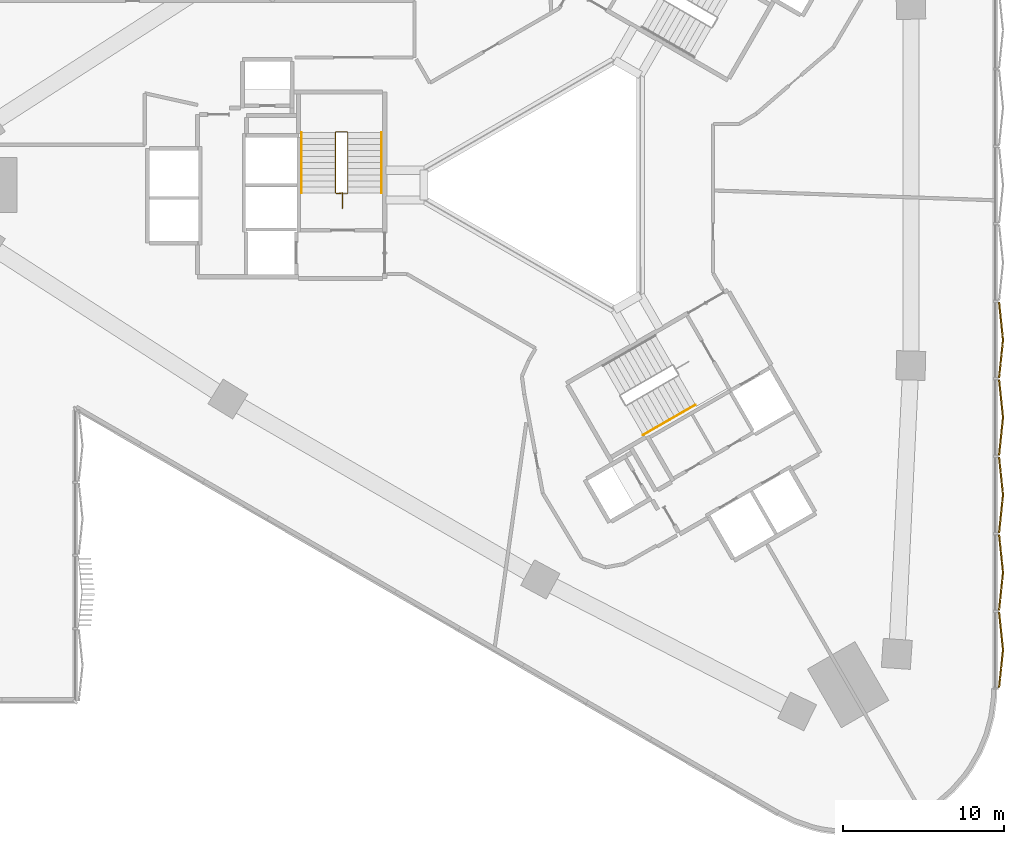
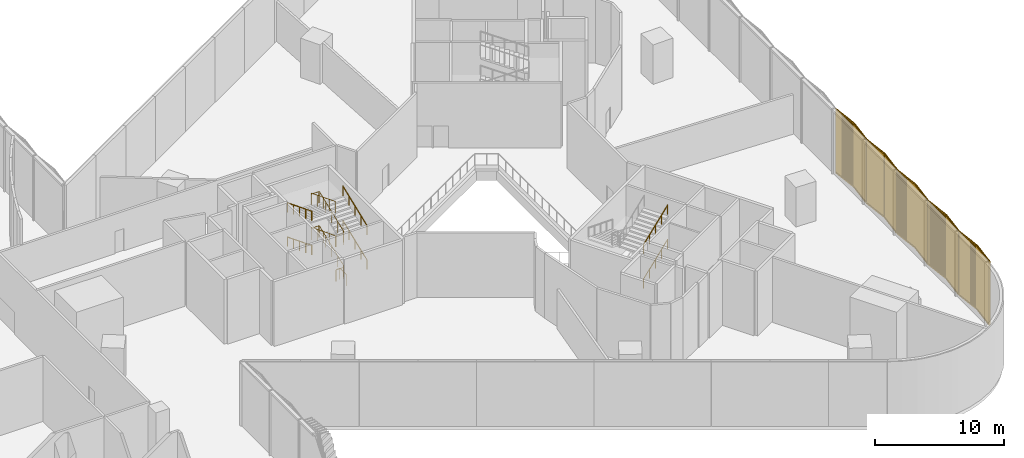
# One storey, part 27 of 32: 7 railings, 5 coverings.
"""IFC4 building model written with IfcOpenShell, lengths in metres."""

import ifcopenshell
import ifcopenshell.guid

model = None  # the IFC model being written
_history = None  # IfcOwnerHistory: only IFC2X3 demands one
_inside = {}  # id of a spatial element -> (the spatial element, [elements in it])
_under = {}  # id of a project, library or spatial element -> (it, [spatial elements below it])
_declared = {}  # id of a project -> (the project, [libraries it declares])
_typed = {}  # id of a type object -> (the type object, [elements of that type])
_made_of = {}  # id of a material, layer set ... -> (it, [elements and type objects made of it])


def new_model(schema):
    """Start an empty IFC model of exactly this schema.

    Asked for "IFC4X3", IfcOpenShell would pick the latest addendum, in which some entities
    have other attributes; the version numbers below select the first issue.
    IFC2X3 requires an IfcOwnerHistory on every rooted entity: one is made here for all.
    """
    global model, _history
    if schema == "IFC4X3":
        model = ifcopenshell.file(schema_version=(4, 3, 0, 0))
    else:
        model = ifcopenshell.file(schema=schema)
    _inside.clear()
    _under.clear()
    _declared.clear()
    _typed.clear()
    _made_of.clear()
    _history = None
    if model.schema == "IFC2X3":
        org = make("IfcOrganization", Name="unknown")
        user = make(
            "IfcPersonAndOrganization",
            ThePerson=make("IfcPerson", FamilyName="unknown"),
            TheOrganization=org,
        )
        app = make(
            "IfcApplication",
            ApplicationDeveloper=org,
            Version="unknown",
            ApplicationFullName="unknown",
            ApplicationIdentifier="unknown",
        )
        _history = make(
            "IfcOwnerHistory",
            OwningUser=user,
            OwningApplication=app,
            ChangeAction="ADDED",
            CreationDate=0,
        )
    return model


def make(cls, **values):
    """One entity of the class cls with the attributes given. An attribute that is None is left unset."""
    return model.create_entity(
        cls, **{name: value for name, value in values.items() if value is not None}
    )


def rooted(cls, **values):
    """An entity with a GlobalId (a new one), such as an element, a storey or a relation."""
    return make(cls, GlobalId=ifcopenshell.guid.new(), OwnerHistory=_history, **values)


def si_unit(unit_type, name, prefix=None):
    """IfcSIUnit, for example si_unit("LENGTHUNIT", "METRE", prefix="MILLI")."""
    return make("IfcSIUnit", UnitType=unit_type, Prefix=prefix, Name=name)


def assignment(units):
    """IfcUnitAssignment: the units of a project."""
    return None if units is None else make("IfcUnitAssignment", Units=units)


def point(xyz):
    """IfcCartesianPoint."""
    return None if xyz is None else make("IfcCartesianPoint", Coordinates=xyz)


def direction(xyz):
    """IfcDirection."""
    return None if xyz is None else make("IfcDirection", DirectionRatios=xyz)


def frame(location, z_axis=None, x_axis=None):
    """IfcAxis2Placement3D, a coordinate frame: its origin and axes. An axis left out is left unset."""
    return make(
        "IfcAxis2Placement3D",
        Location=point(location),
        Axis=direction(z_axis),
        RefDirection=direction(x_axis),
    )


def frame_2d(location, x_axis=None):
    """IfcAxis2Placement2D, a coordinate frame in the plane: its origin and x axis."""
    return make(
        "IfcAxis2Placement2D", Location=point(location), RefDirection=direction(x_axis)
    )


def origin():
    """The frame at (0, 0, 0) with its axes left unset."""
    return frame((0.0, 0.0, 0.0))


def origin_2d():
    """The frame at (0, 0) in the plane with its x axis left unset."""
    return frame_2d((0.0, 0.0))


def place(relative_to, where):
    """IfcLocalPlacement: puts the frame where relative to a parent placement (None: the world)."""
    return make(
        "IfcLocalPlacement", PlacementRelTo=relative_to, RelativePlacement=where
    )


def context(
    kind, dimensions, precision=None, world=None, true_north=None, identifier=None
):
    """IfcGeometricRepresentationContext, for example the 3D "Model" context."""
    return make(
        "IfcGeometricRepresentationContext",
        ContextIdentifier=identifier,
        ContextType=kind,
        CoordinateSpaceDimension=dimensions,
        Precision=precision,
        WorldCoordinateSystem=world,
        TrueNorth=true_north,
    )


def subcontext(parent, identifier, kind, view, scale=None):
    """IfcGeometricRepresentationSubContext, for example "Body" below "Model"."""
    return make(
        "IfcGeometricRepresentationSubContext",
        ContextIdentifier=identifier,
        ContextType=kind,
        ParentContext=parent,
        TargetScale=scale,
        TargetView=view,
    )


def project(units=None, contexts=None):
    """IfcProject with its units and contexts."""
    return rooted(
        "IfcProject",
        Name="project",
        RepresentationContexts=contexts,
        UnitsInContext=assignment(units),
    )


def spatial(cls, under=None, at=None, **own):
    """A site, building, storey or space (cls), placed at a placement, below another one or the project."""
    s = rooted(cls, ObjectPlacement=at, **own)
    if under is not None:
        _under.setdefault(under.id(), (under, []))[1].append(s)
    return s


def profile(cls, at=None, kind="AREA", **sizes):
    """A parametric profile (cls). Its sizes go by their IFC names, for example OverallWidth=200.0."""
    return make(cls, ProfileType=kind, Position=at, **sizes)


def rectangle(**sizes):
    """IfcRectangleProfileDef."""
    return profile("IfcRectangleProfileDef", **sizes)


def circle(**sizes):
    """IfcCircleProfileDef."""
    return profile("IfcCircleProfileDef", **sizes)


def extrude(swept, where, along, depth):
    """IfcExtrudedAreaSolid: the profile swept, set in the frame where, extruded along a direction by depth."""
    return make(
        "IfcExtrudedAreaSolid",
        SweptArea=swept,
        Position=where,
        ExtrudedDirection=direction(along),
        Depth=depth,
    )


def shape(context_of_items, identifier, shape_type, items):
    """IfcShapeRepresentation: the items that make up one representation, for example the "Body"."""
    return make(
        "IfcShapeRepresentation",
        ContextOfItems=context_of_items,
        RepresentationIdentifier=identifier,
        RepresentationType=shape_type,
        Items=items,
    )


def source(mapping_origin, context_of_items, identifier, shape_type, items):
    """IfcRepresentationMap: a shape defined once, which mapped items show again and again."""
    return make(
        "IfcRepresentationMap",
        MappingOrigin=mapping_origin,
        MappedRepresentation=shape(context_of_items, identifier, shape_type, items),
    )


def transform(
    local_origin,
    x_axis=None,
    y_axis=None,
    z_axis=None,
    scale=None,
    scale2=None,
    scale3=None,
    uniform=True,
):
    """IfcCartesianTransformationOperator3D, or its non-uniform kind. x_axis, y_axis, z_axis: its Axis1, 2, 3."""
    if uniform:
        return make(
            "IfcCartesianTransformationOperator3D",
            Axis1=direction(x_axis),
            Axis2=direction(y_axis),
            LocalOrigin=point(local_origin),
            Scale=scale,
            Axis3=direction(z_axis),
        )
    return make(
        "IfcCartesianTransformationOperator3DnonUniform",
        Axis1=direction(x_axis),
        Axis2=direction(y_axis),
        LocalOrigin=point(local_origin),
        Scale=scale,
        Axis3=direction(z_axis),
        Scale2=scale2,
        Scale3=scale3,
    )


def mapped(mapping_source, mapping_target):
    """IfcMappedItem: shows the shape of a source again, moved by a transform."""
    return make(
        "IfcMappedItem", MappingSource=mapping_source, MappingTarget=mapping_target
    )


def material(Name=None, Category=None):
    """IfcMaterial."""
    return make("IfcMaterial", Name=Name, Category=Category)


def made_of(thing, what):
    """Note that an element or type object is made of a material, layer set ...; save() writes the relation."""
    if what is not None:
        _made_of.setdefault(what.id(), (what, []))[1].append(thing)
    return thing


def type_object(cls, material=None, **own):
    """A type object (cls), such as IfcWallType, which elements share."""
    return made_of(rooted(cls, **own), material)


def element(
    cls,
    number,
    at=None,
    inside=None,
    cuts=None,
    type_object=None,
    material=None,
    context=None,
    identifier="Body",
    shape_type=None,
    held_by="IfcProductDefinitionShape",
    body=None,
    shapes=None,
    **own,
):
    """One element of the class cls, such as IfcWall. Its Tag is "e" and its number.

    at: its placement. inside: the storey or other place that contains it. cuts: it is an
    opening in that element (IfcRelVoidsElement). A single representation is given by context,
    identifier, shape_type and body (its items); several are given by shapes. held_by: the class
    of the entity that holds the representations. save() writes the other relations.
    """
    e = rooted(cls, Tag="e%d" % number, ObjectPlacement=at, **own)
    if body is not None:
        shapes = [shape(context, identifier, shape_type, body)]
    if shapes is not None:
        e.Representation = make(held_by, Representations=shapes)
    if inside is not None:
        _inside.setdefault(inside.id(), (inside, []))[1].append(e)
    if cuts is not None:
        rooted(
            "IfcRelVoidsElement", RelatingBuildingElement=cuts, RelatedOpeningElement=e
        )
    if type_object is not None:
        _typed.setdefault(type_object.id(), (type_object, []))[1].append(e)
    return made_of(e, material)


def aggregate(whole, parts):
    """IfcRelAggregates: a whole, such as a stair, and the parts it consists of."""
    return rooted("IfcRelAggregates", RelatingObject=whole, RelatedObjects=parts)


def save(model, path):
    """Write the relations noted so far, then the file.

    IfcRelAggregates (storeys below a building ...), IfcRelContainedInSpatialStructure (elements
    in a storey), IfcRelDefinesByType, IfcRelAssociatesMaterial and IfcRelDeclares: one each for
    every whole, place, type object, material and project.
    """
    for whole, parts in _under.values():
        aggregate(whole, parts)
    for where, things in _inside.values():
        rooted(
            "IfcRelContainedInSpatialStructure",
            RelatedElements=things,
            RelatingStructure=where,
        )
    for kind, things in _typed.values():
        rooted("IfcRelDefinesByType", RelatedObjects=things, RelatingType=kind)
    for what, things in _made_of.values():
        rooted("IfcRelAssociatesMaterial", RelatedObjects=things, RelatingMaterial=what)
    for by, libraries in _declared.values():
        rooted("IfcRelDeclares", RelatingContext=by, RelatedDefinitions=libraries)
    model.write(path)


model = new_model("IFC4")

# Units and contexts
model_context = context("Model", 3, precision=1e-05, world=origin(), true_north=direction((0.0, 1.0)))
body_context = subcontext(model_context, "Body", "Model", "MODEL_VIEW")
ifc_project = project(units=[si_unit("LENGTHUNIT", "METRE"), si_unit("AREAUNIT", "SQUARE_METRE"), si_unit("VOLUMEUNIT", "CUBIC_METRE"), si_unit("PLANEANGLEUNIT", "RADIAN"), si_unit("MASSUNIT", "GRAM", prefix="KILO")], contexts=[model_context])

# Site, building, storey
site_placement = place(None, origin())
site = spatial("IfcSite", under=ifc_project, at=site_placement, CompositionType="ELEMENT")
building_placement = place(site_placement, origin())
building = spatial("IfcBuilding", under=site, at=building_placement, Name="Tamra Quay Hotel Tower", CompositionType="ELEMENT")
storey_placement = place(building_placement, frame((0.0, 0.0, 7.5)))
storey = spatial("IfcBuildingStorey", under=building, at=storey_placement, Name="L01", CompositionType="ELEMENT", Elevation=7.5)

# Railings
ifc_material_1 = material(Name="Stair guard 1100")
railing_type_1 = type_object("IfcRailingType", Name="Stair guard 1100", PredefinedType="GUARDRAIL", material=ifc_material_1)
railing_1_placement = place(storey_placement, frame((-13.461669921875, -1.460205078125, 0.0)))
element("IfcRailing", 1, at=railing_1_placement, inside=storey, type_object=railing_type_1, Name="GR", PredefinedType="GUARDRAIL", context=body_context, shape_type="SweptSolid", body=[
    extrude(circle(Radius=0.02392578125, at=origin_2d()), frame((0.0, 0.0, 1.076171875), z_axis=(0.0, 1.0, 0.0), x_axis=(-1.0, 0.0, 0.0)), (0.0, 0.0, 1.0), 1.0),
    extrude(circle(Radius=0.02392578125, at=origin_2d()), frame((0.0, 1.0, 1.076171875), z_axis=(-0.98350356237, -0.180888758095, 0.0), x_axis=(0.180888758095, -0.98350356237, 0.0)), (0.0, 0.0, 1.0), 0.385986328125),
    extrude(circle(Radius=0.02392578125, at=origin_2d()), frame((-0.379638671875, 0.93017578125, 1.076171875), z_axis=(1.0, 0.0, 0.0), x_axis=(0.0, 1.0, 0.0)), (0.0, 0.0, 1.0), 0.658935546875),
    extrude(circle(Radius=0.02392578125, at=origin_2d()), frame((0.279296875, 0.93017578125, 1.076171875), z_axis=(0.305570493778, 0.305570493778, 0.901805603589), x_axis=(-0.707106781187, 0.707106781187, 0.0)), (0.0, 0.0, 1.0), 0.163818359375),
    extrude(circle(Radius=0.02392578125, at=origin_2d()), frame((0.329345703125, 0.980224609375, 1.2236328125), z_axis=(0.0, 0.930071711533, 0.367378022487), x_axis=(-1.0, 0.0, 0.0)), (0.0, 0.0, 1.0), 4.021240234375),
    extrude(circle(Radius=0.02392578125, at=origin_2d()), frame((0.329345703125, 4.72021484375, 2.701171875), z_axis=(-0.708833529934, 0.705375805398, 0.0), x_axis=(-0.705375805398, -0.708833529934, 0.0)), (0.0, 0.0, 1.0), 0.070556640625),
    extrude(circle(Radius=0.02392578125, at=origin_2d()), frame((0.279296875, 4.77001953125, 2.701171875), z_axis=(-1.0, 0.0, 0.0), x_axis=(0.0, -1.0, 0.0)), (0.0, 0.0, 1.0), 0.658935546875),
    extrude(circle(Radius=0.02392578125, at=origin_2d()), frame((-0.379638671875, 4.77001953125, 2.701171875), z_axis=(-0.305709430151, -0.304218164638, 0.902215635323), x_axis=(0.705375805398, -0.708833529934, 0.0)), (0.0, 0.0, 1.0), 0.163818359375),
    extrude(circle(Radius=0.02392578125, at=origin_2d()), frame((-0.4296875, 4.72021484375, 2.8486328125), z_axis=(0.0, -0.930071711533, 0.367378022487), x_axis=(1.0, 0.0, 0.0)), (0.0, 0.0, 1.0), 4.021240234375),
    extrude(circle(Radius=0.02392578125, at=origin_2d()), frame((-0.4296875, 0.980224609375, 4.326171875), z_axis=(0.707106781187, -0.707106781187, 0.0), x_axis=(0.707106781187, 0.707106781187, 0.0)), (0.0, 0.0, 1.0), 0.07080078125),
    extrude(circle(Radius=0.02392578125, at=origin_2d()), frame((-0.379638671875, 0.93017578125, 4.326171875), z_axis=(1.0, 0.0, 0.0), x_axis=(0.0, 1.0, 0.0)), (0.0, 0.0, 1.0), 0.658935546875),
    extrude(circle(Radius=0.02392578125, at=origin_2d()), frame((0.279296875, 0.93017578125, 4.326171875), z_axis=(0.305570493778, 0.305570493778, 0.901805603589), x_axis=(-0.707106781187, 0.707106781187, 0.0)), (0.0, 0.0, 1.0), 0.163818359375),
    extrude(circle(Radius=0.02392578125, at=origin_2d()), frame((0.329345703125, 0.980224609375, 4.4736328125), z_axis=(0.0, 0.930071711533, 0.367378022487), x_axis=(-1.0, 0.0, 0.0)), (0.0, 0.0, 1.0), 4.021240234375),
    extrude(circle(Radius=0.02392578125, at=origin_2d()), frame((0.329345703125, 4.72021484375, 5.951171875), z_axis=(-0.708833529934, 0.705375805398, 0.0), x_axis=(-0.705375805398, -0.708833529934, 0.0)), (0.0, 0.0, 1.0), 0.070556640625),
    extrude(circle(Radius=0.02392578125, at=origin_2d()), frame((0.279296875, 4.77001953125, 5.951171875), z_axis=(-1.0, 0.0, 0.0), x_axis=(0.0, -1.0, 0.0)), (0.0, 0.0, 1.0), 0.658935546875),
    extrude(circle(Radius=0.02392578125, at=origin_2d()), frame((-0.379638671875, 4.77001953125, 5.951171875), z_axis=(-0.305709430151, -0.304218164638, 0.902215635323), x_axis=(0.705375805398, -0.708833529934, 0.0)), (0.0, 0.0, 1.0), 0.163818359375),
    extrude(circle(Radius=0.02392578125, at=origin_2d()), frame((-0.4296875, 4.72021484375, 6.0986328125), z_axis=(0.0, -0.930071711533, 0.367378022487), x_axis=(1.0, 0.0, 0.0)), (0.0, 0.0, 1.0), 4.021240234375),
    extrude(circle(Radius=0.02099609375, at=origin_2d()), origin(), (0.0, 0.0, 1.0), 1.052001953125),
    extrude(circle(Radius=0.02099609375, at=origin_2d()), frame((0.0, 1.0, 0.0)), (0.0, 0.0, 1.0), 1.052001953125),
    extrude(circle(Radius=0.02099609375, at=origin_2d()), frame((-0.379638671875, 0.93017578125, 0.0)), (0.0, 0.0, 1.0), 1.052001953125),
    extrude(circle(Radius=0.02099609375, at=origin_2d()), frame((0.279296875, 0.93017578125, 0.0)), (0.0, 0.0, 1.0), 1.052001953125),
    extrude(circle(Radius=0.02099609375, at=origin_2d()), frame((0.329345703125, 0.980224609375, 0.147705078125)), (0.0, 0.0, 1.0), 1.052001953125),
    extrude(circle(Radius=0.02099609375, at=origin_2d()), frame((0.329345703125, 1.915283203125, 0.51708984375)), (0.0, 0.0, 1.0), 1.052001953125),
    extrude(circle(Radius=0.02099609375, at=origin_2d()), frame((0.329345703125, 2.85009765625, 0.88623046875)), (0.0, 0.0, 1.0), 1.052001953125),
    extrude(circle(Radius=0.02099609375, at=origin_2d()), frame((0.329345703125, 3.78515625, 1.255615234375)), (0.0, 0.0, 1.0), 1.052001953125),
    extrude(circle(Radius=0.02099609375, at=origin_2d()), frame((0.329345703125, 4.72021484375, 1.625)), (0.0, 0.0, 1.0), 1.052001953125),
    extrude(circle(Radius=0.02099609375, at=origin_2d()), frame((0.279296875, 4.77001953125, 1.625)), (0.0, 0.0, 1.0), 1.052001953125),
    extrude(circle(Radius=0.02099609375, at=origin_2d()), frame((-0.379638671875, 4.77001953125, 1.625)), (0.0, 0.0, 1.0), 1.052001953125),
    extrude(circle(Radius=0.02099609375, at=origin_2d()), frame((-0.4296875, 4.72021484375, 1.772705078125)), (0.0, 0.0, 1.0), 1.052001953125),
    extrude(circle(Radius=0.02099609375, at=origin_2d()), frame((-0.4296875, 3.78515625, 2.14208984375)), (0.0, 0.0, 1.0), 1.052001953125),
    extrude(circle(Radius=0.02099609375, at=origin_2d()), frame((-0.4296875, 2.85009765625, 2.51123046875)), (0.0, 0.0, 1.0), 1.052001953125),
    extrude(circle(Radius=0.02099609375, at=origin_2d()), frame((-0.4296875, 1.915283203125, 2.880615234375)), (0.0, 0.0, 1.0), 1.052001953125),
    extrude(circle(Radius=0.02099609375, at=origin_2d()), frame((-0.4296875, 0.980224609375, 3.25)), (0.0, 0.0, 1.0), 1.052001953125),
    extrude(circle(Radius=0.02099609375, at=origin_2d()), frame((-0.379638671875, 0.93017578125, 3.25)), (0.0, 0.0, 1.0), 1.052001953125),
    extrude(circle(Radius=0.02099609375, at=origin_2d()), frame((0.279296875, 0.93017578125, 3.25)), (0.0, 0.0, 1.0), 1.052001953125),
    extrude(circle(Radius=0.02099609375, at=origin_2d()), frame((0.329345703125, 0.980224609375, 3.397705078125)), (0.0, 0.0, 1.0), 1.052001953125),
    extrude(circle(Radius=0.02099609375, at=origin_2d()), frame((0.329345703125, 1.915283203125, 3.76708984375)), (0.0, 0.0, 1.0), 1.052001953125),
    extrude(circle(Radius=0.02099609375, at=origin_2d()), frame((0.329345703125, 2.85009765625, 4.13623046875)), (0.0, 0.0, 1.0), 1.052001953125),
    extrude(circle(Radius=0.02099609375, at=origin_2d()), frame((0.329345703125, 3.78515625, 4.505615234375)), (0.0, 0.0, 1.0), 1.052001953125),
    extrude(circle(Radius=0.02099609375, at=origin_2d()), frame((0.329345703125, 4.72021484375, 4.875)), (0.0, 0.0, 1.0), 1.052001953125),
    extrude(circle(Radius=0.02099609375, at=origin_2d()), frame((0.279296875, 4.77001953125, 4.875)), (0.0, 0.0, 1.0), 1.052001953125),
    extrude(circle(Radius=0.02099609375, at=origin_2d()), frame((-0.379638671875, 4.77001953125, 4.875)), (0.0, 0.0, 1.0), 1.052001953125),
    extrude(circle(Radius=0.02099609375, at=origin_2d()), frame((-0.4296875, 4.72021484375, 5.022705078125)), (0.0, 0.0, 1.0), 1.052001953125),
    extrude(circle(Radius=0.02099609375, at=origin_2d()), frame((-0.4296875, 3.78515625, 5.39208984375)), (0.0, 0.0, 1.0), 1.052001953125),
    extrude(circle(Radius=0.02099609375, at=origin_2d()), frame((-0.4296875, 2.85009765625, 5.76123046875)), (0.0, 0.0, 1.0), 1.052001953125),
    extrude(circle(Radius=0.02099609375, at=origin_2d()), frame((-0.4296875, 1.915283203125, 6.130615234375)), (0.0, 0.0, 1.0), 1.052001953125),
    extrude(circle(Radius=0.02099609375, at=origin_2d()), frame((-0.4296875, 0.980224609375, 6.5)), (0.0, 0.0, 1.0), 1.052001953125),
])
ifc_material_2 = material(Name="Stair handrail 900")
railing_type_2 = type_object("IfcRailingType", Name="Stair handrail 900", PredefinedType="HANDRAIL", material=ifc_material_2)
railing_2_placement = place(storey_placement, frame((-11.0322265625, -0.47998046875, 0.147705078125)))
element("IfcRailing", 2, at=railing_2_placement, inside=storey, type_object=railing_type_2, Name="HR", PredefinedType="HANDRAIL", context=body_context, shape_type="SweptSolid", body=[
    extrude(circle(Radius=0.02392578125, at=origin_2d()), frame((0.0, 0.0, 0.8759765625), z_axis=(0.0, 0.930071711533, 0.367378022487), x_axis=(-1.0, 0.0, 0.0)), (0.0, 0.0, 1.0), 4.021240234375),
    extrude(circle(Radius=0.02099609375, at=origin_2d()), origin(), (0.0, 0.0, 1.0), 0.851806640625),
    extrude(circle(Radius=0.02099609375, at=origin_2d()), frame((0.0, 0.93505859375, 0.369384765625)), (0.0, 0.0, 1.0), 0.851806640625),
    extrude(circle(Radius=0.02099609375, at=origin_2d()), frame((0.0, 1.8701171875, 0.73876953125)), (0.0, 0.0, 1.0), 0.851806640625),
    extrude(circle(Radius=0.02099609375, at=origin_2d()), frame((0.0, 2.804931640625, 1.10791015625)), (0.0, 0.0, 1.0), 0.851806640625),
    extrude(circle(Radius=0.02099609375, at=origin_2d()), frame((0.0, 3.739990234375, 1.477294921875)), (0.0, 0.0, 1.0), 0.851806640625),
])
railing_3_placement = place(storey_placement, frame((-15.9912109375, 3.260009765625, 1.772705078125)))
element("IfcRailing", 3, at=railing_3_placement, inside=storey, type_object=railing_type_2, Name="HR", PredefinedType="HANDRAIL", context=body_context, shape_type="SweptSolid", body=[
    extrude(circle(Radius=0.02392578125, at=origin_2d()), frame((0.0, 0.0, 0.8759765625), z_axis=(0.0, -0.930071711533, 0.367378022487), x_axis=(1.0, 0.0, 0.0)), (0.0, 0.0, 1.0), 4.021240234375),
    extrude(circle(Radius=0.02099609375, at=origin_2d()), origin(), (0.0, 0.0, 1.0), 0.851806640625),
    extrude(circle(Radius=0.02099609375, at=origin_2d()), frame((0.0, -0.93505859375, 0.369384765625)), (0.0, 0.0, 1.0), 0.851806640625),
    extrude(circle(Radius=0.02099609375, at=origin_2d()), frame((0.0, -1.8701171875, 0.73876953125)), (0.0, 0.0, 1.0), 0.851806640625),
    extrude(circle(Radius=0.02099609375, at=origin_2d()), frame((0.0, -2.804931640625, 1.10791015625)), (0.0, 0.0, 1.0), 0.851806640625),
    extrude(circle(Radius=0.02099609375, at=origin_2d()), frame((0.0, -3.739990234375, 1.477294921875)), (0.0, 0.0, 1.0), 0.851806640625),
])
railing_4_placement = place(storey_placement, frame((-11.0322265625, -0.47998046875, 3.397705078125)))
element("IfcRailing", 4, at=railing_4_placement, inside=storey, type_object=railing_type_2, Name="HR", PredefinedType="HANDRAIL", context=body_context, shape_type="SweptSolid", body=[
    extrude(circle(Radius=0.02392578125, at=origin_2d()), frame((0.0, 0.0, 0.8759765625), z_axis=(0.0, 0.930071711533, 0.367378022487), x_axis=(-1.0, 0.0, 0.0)), (0.0, 0.0, 1.0), 4.021240234375),
    extrude(circle(Radius=0.02099609375, at=origin_2d()), origin(), (0.0, 0.0, 1.0), 0.851806640625),
    extrude(circle(Radius=0.02099609375, at=origin_2d()), frame((0.0, 0.93505859375, 0.369384765625)), (0.0, 0.0, 1.0), 0.851806640625),
    extrude(circle(Radius=0.02099609375, at=origin_2d()), frame((0.0, 1.8701171875, 0.73876953125)), (0.0, 0.0, 1.0), 0.851806640625),
    extrude(circle(Radius=0.02099609375, at=origin_2d()), frame((0.0, 2.804931640625, 1.10791015625)), (0.0, 0.0, 1.0), 0.851806640625),
    extrude(circle(Radius=0.02099609375, at=origin_2d()), frame((0.0, 3.739990234375, 1.477294921875)), (0.0, 0.0, 1.0), 0.851806640625),
])
railing_5_placement = place(storey_placement, frame((-15.9912109375, 3.260009765625, 5.022705078125)))
element("IfcRailing", 5, at=railing_5_placement, inside=storey, type_object=railing_type_2, Name="HR", PredefinedType="HANDRAIL", context=body_context, shape_type="SweptSolid", body=[
    extrude(circle(Radius=0.02392578125, at=origin_2d()), frame((0.0, 0.0, 0.8759765625), z_axis=(0.0, -0.930071711533, 0.367378022487), x_axis=(1.0, 0.0, 0.0)), (0.0, 0.0, 1.0), 4.021240234375),
    extrude(circle(Radius=0.02099609375, at=origin_2d()), origin(), (0.0, 0.0, 1.0), 0.851806640625),
    extrude(circle(Radius=0.02099609375, at=origin_2d()), frame((0.0, -0.93505859375, 0.369384765625)), (0.0, 0.0, 1.0), 0.851806640625),
    extrude(circle(Radius=0.02099609375, at=origin_2d()), frame((0.0, -1.8701171875, 0.73876953125)), (0.0, 0.0, 1.0), 0.851806640625),
    extrude(circle(Radius=0.02099609375, at=origin_2d()), frame((0.0, -2.804931640625, 1.10791015625)), (0.0, 0.0, 1.0), 0.851806640625),
    extrude(circle(Radius=0.02099609375, at=origin_2d()), frame((0.0, -3.739990234375, 1.477294921875)), (0.0, 0.0, 1.0), 0.851806640625),
])
for number, where, name in (
    (6, (5.172607421875, -15.478759765625, 1.772705078125), "HR"),
    (7, (5.172607421875, -15.478759765625, 5.022705078125), "HR"),
):
    element("IfcRailing", number, at=place(storey_placement, frame(where)), inside=storey, type_object=railing_type_2, Name=name, PredefinedType="HANDRAIL", context=body_context, shape_type="SweptSolid", body=[
        extrude(circle(Radius=0.02392578125, at=origin_2d()), frame((0.0, 0.0, 0.8759765625), z_axis=(0.805463385192, 0.465026689822, 0.367394764345), x_axis=(-0.499993700073, 0.866029041019, 0.0)), (0.0, 0.0, 1.0), 4.02099609375),
        extrude(circle(Radius=0.02099609375, at=origin_2d()), origin(), (0.0, 0.0, 1.0), 0.851806640625),
        extrude(circle(Radius=0.02099609375, at=origin_2d()), frame((0.8095703125, 0.467529296875, 0.369384765625)), (0.0, 0.0, 1.0), 0.851806640625),
        extrude(circle(Radius=0.02099609375, at=origin_2d()), frame((1.619384765625, 0.93505859375, 0.73876953125)), (0.0, 0.0, 1.0), 0.851806640625),
        extrude(circle(Radius=0.02099609375, at=origin_2d()), frame((2.42919921875, 1.40234375, 1.10791015625)), (0.0, 0.0, 1.0), 0.851806640625),
        extrude(circle(Radius=0.02099609375, at=origin_2d()), frame((3.23876953125, 1.869873046875, 1.477294921875)), (0.0, 0.0, 1.0), 0.851806640625),
    ])

# Coverings
ifc_material_3 = material(Name="Terracotta baguette extruded", Category="masonry")
covering_type = type_object("IfcCoveringType", Name="BAGUETTE SCREEN PODIUM-SHALLOW H6150", PredefinedType="USERDEFINED", material=ifc_material_3)
shared_shape = source(origin(), body_context, "Body", "SweptSolid", [
    extrude(rectangle(XDim=2.365478515625, YDim=0.06005859375, at=frame_2d((1.1826171875, 0.030029296875))), frame((-2.35888671875, -0.0576171875, -0.1201171875), z_axis=(0.0, 0.0, 1.0), x_axis=(0.994521895368, -0.104528463268, 0.0)), (0.0, 0.0, 1.0), 0.1201171875),
    extrude(rectangle(XDim=2.365478515625, YDim=0.06005859375, at=frame_2d((1.1826171875, 0.030029296875))), frame((-2.35888671875, -0.0576171875, -6.14990234375), z_axis=(0.0, 0.0, 1.0), x_axis=(0.994521895368, -0.104528463268, 0.0)), (0.0, 0.0, 1.0), 0.1201171875),
    extrude(rectangle(XDim=0.094970703125, YDim=0.10009765625, at=frame_2d((0.04736328125, 0.050048828125))), frame((-2.35107421875, -0.133056640625, -6.090087890625)), (0.0, 0.0, 1.0), 6.030029296875),
    extrude(rectangle(XDim=0.094970703125, YDim=0.10009765625, at=frame_2d((0.04736328125, 0.050048828125))), frame((-2.2529296875, -0.1435546875, -6.090087890625)), (0.0, 0.0, 1.0), 6.030029296875),
    extrude(rectangle(XDim=0.094970703125, YDim=0.10009765625, at=frame_2d((0.04736328125, 0.050048828125))), frame((-2.155029296875, -0.15380859375, -6.090087890625)), (0.0, 0.0, 1.0), 6.030029296875),
    extrude(rectangle(XDim=0.094970703125, YDim=0.10009765625, at=frame_2d((0.04736328125, 0.050048828125))), frame((-2.056884765625, -0.1640625, -6.090087890625)), (0.0, 0.0, 1.0), 6.030029296875),
    extrude(rectangle(XDim=0.094970703125, YDim=0.10009765625, at=frame_2d((0.04736328125, 0.050048828125))), frame((-1.958984375, -0.17431640625, -6.090087890625)), (0.0, 0.0, 1.0), 6.030029296875),
    extrude(rectangle(XDim=0.094970703125, YDim=0.10009765625, at=frame_2d((0.04736328125, 0.050048828125))), frame((-1.86083984375, -0.1845703125, -6.090087890625)), (0.0, 0.0, 1.0), 6.030029296875),
    extrude(rectangle(XDim=0.094970703125, YDim=0.10009765625, at=frame_2d((0.04736328125, 0.050048828125))), frame((-1.762939453125, -0.195068359375, -6.090087890625)), (0.0, 0.0, 1.0), 6.030029296875),
    extrude(rectangle(XDim=0.094970703125, YDim=0.10009765625, at=frame_2d((0.04736328125, 0.050048828125))), frame((-1.664794921875, -0.205322265625, -6.090087890625)), (0.0, 0.0, 1.0), 6.030029296875),
    extrude(rectangle(XDim=0.094970703125, YDim=0.10009765625, at=frame_2d((0.04736328125, 0.050048828125))), frame((-1.56689453125, -0.215576171875, -6.090087890625)), (0.0, 0.0, 1.0), 6.030029296875),
    extrude(rectangle(XDim=0.094970703125, YDim=0.10009765625, at=frame_2d((0.04736328125, 0.050048828125))), frame((-1.46875, -0.225830078125, -6.090087890625)), (0.0, 0.0, 1.0), 6.030029296875),
    extrude(rectangle(XDim=0.094970703125, YDim=0.10009765625, at=frame_2d((0.04736328125, 0.050048828125))), frame((-1.370849609375, -0.236083984375, -6.090087890625)), (0.0, 0.0, 1.0), 6.030029296875),
    extrude(rectangle(XDim=0.094970703125, YDim=0.10009765625, at=frame_2d((0.04736328125, 0.050048828125))), frame((-1.272705078125, -0.24658203125, -6.090087890625)), (0.0, 0.0, 1.0), 6.030029296875),
    extrude(rectangle(XDim=0.094970703125, YDim=0.10009765625, at=frame_2d((0.04736328125, 0.050048828125))), frame((-1.1748046875, -0.2568359375, -6.090087890625)), (0.0, 0.0, 1.0), 6.030029296875),
    extrude(rectangle(XDim=0.094970703125, YDim=0.10009765625, at=frame_2d((0.04736328125, 0.050048828125))), frame((-1.07666015625, -0.26708984375, -6.090087890625)), (0.0, 0.0, 1.0), 6.030029296875),
    extrude(rectangle(XDim=0.094970703125, YDim=0.10009765625, at=frame_2d((0.04736328125, 0.050048828125))), frame((-0.978759765625, -0.27734375, -6.090087890625)), (0.0, 0.0, 1.0), 6.030029296875),
    extrude(rectangle(XDim=0.094970703125, YDim=0.10009765625, at=frame_2d((0.04736328125, 0.050048828125))), frame((-0.880615234375, -0.28759765625, -6.090087890625)), (0.0, 0.0, 1.0), 6.030029296875),
    extrude(rectangle(XDim=0.094970703125, YDim=0.10009765625, at=frame_2d((0.04736328125, 0.050048828125))), frame((-0.78271484375, -0.298095703125, -6.090087890625)), (0.0, 0.0, 1.0), 6.030029296875),
    extrude(rectangle(XDim=0.094970703125, YDim=0.10009765625, at=frame_2d((0.04736328125, 0.050048828125))), frame((-0.6845703125, -0.308349609375, -6.090087890625)), (0.0, 0.0, 1.0), 6.030029296875),
    extrude(rectangle(XDim=0.094970703125, YDim=0.10009765625, at=frame_2d((0.04736328125, 0.050048828125))), frame((-0.586669921875, -0.318603515625, -6.090087890625)), (0.0, 0.0, 1.0), 6.030029296875),
    extrude(rectangle(XDim=0.094970703125, YDim=0.10009765625, at=frame_2d((0.04736328125, 0.050048828125))), frame((-0.488525390625, -0.328857421875, -6.090087890625)), (0.0, 0.0, 1.0), 6.030029296875),
    extrude(rectangle(XDim=0.094970703125, YDim=0.10009765625, at=frame_2d((0.04736328125, 0.050048828125))), frame((-0.390625, -0.339111328125, -6.090087890625)), (0.0, 0.0, 1.0), 6.030029296875),
    extrude(rectangle(XDim=0.094970703125, YDim=0.10009765625, at=frame_2d((0.04736328125, 0.050048828125))), frame((-0.29248046875, -0.349609375, -6.090087890625)), (0.0, 0.0, 1.0), 6.030029296875),
    extrude(rectangle(XDim=0.094970703125, YDim=0.10009765625, at=frame_2d((0.04736328125, 0.050048828125))), frame((-0.194580078125, -0.35986328125, -6.090087890625)), (0.0, 0.0, 1.0), 6.030029296875),
    extrude(rectangle(XDim=0.094970703125, YDim=0.10009765625, at=frame_2d((0.04736328125, 0.050048828125))), frame((-0.096435546875, -0.3701171875, -6.090087890625)), (0.0, 0.0, 1.0), 6.030029296875),
    extrude(rectangle(XDim=2.365478515625, YDim=0.06005859375, at=frame_2d((1.1826171875, 0.030029296875))), frame((0.00634765625, -0.304931640625, -0.1201171875), z_axis=(0.0, 0.0, 1.0), x_axis=(0.994521895368, 0.104528463268, 0.0)), (0.0, 0.0, 1.0), 0.1201171875),
    extrude(rectangle(XDim=2.365478515625, YDim=0.06005859375, at=frame_2d((1.1826171875, 0.030029296875))), frame((0.00634765625, -0.304931640625, -6.14990234375), z_axis=(0.0, 0.0, 1.0), x_axis=(0.994521895368, 0.104528463268, 0.0)), (0.0, 0.0, 1.0), 0.1201171875),
    extrude(rectangle(XDim=0.094970703125, YDim=0.10009765625, at=frame_2d((0.04736328125, 0.050048828125))), frame((0.00146484375, -0.3701171875, -6.090087890625)), (0.0, 0.0, 1.0), 6.030029296875),
    extrude(rectangle(XDim=0.094970703125, YDim=0.10009765625, at=frame_2d((0.04736328125, 0.050048828125))), frame((0.099609375, -0.35986328125, -6.090087890625)), (0.0, 0.0, 1.0), 6.030029296875),
    extrude(rectangle(XDim=0.094970703125, YDim=0.10009765625, at=frame_2d((0.04736328125, 0.050048828125))), frame((0.197509765625, -0.349609375, -6.090087890625)), (0.0, 0.0, 1.0), 6.030029296875),
    extrude(rectangle(XDim=0.094970703125, YDim=0.10009765625, at=frame_2d((0.04736328125, 0.050048828125))), frame((0.295654296875, -0.339111328125, -6.090087890625)), (0.0, 0.0, 1.0), 6.030029296875),
    extrude(rectangle(XDim=0.094970703125, YDim=0.10009765625, at=frame_2d((0.04736328125, 0.050048828125))), frame((0.3935546875, -0.328857421875, -6.090087890625)), (0.0, 0.0, 1.0), 6.030029296875),
    extrude(rectangle(XDim=0.094970703125, YDim=0.10009765625, at=frame_2d((0.04736328125, 0.050048828125))), frame((0.49169921875, -0.318603515625, -6.090087890625)), (0.0, 0.0, 1.0), 6.030029296875),
    extrude(rectangle(XDim=0.094970703125, YDim=0.10009765625, at=frame_2d((0.04736328125, 0.050048828125))), frame((0.589599609375, -0.308349609375, -6.090087890625)), (0.0, 0.0, 1.0), 6.030029296875),
    extrude(rectangle(XDim=0.094970703125, YDim=0.10009765625, at=frame_2d((0.04736328125, 0.050048828125))), frame((0.687744140625, -0.298095703125, -6.090087890625)), (0.0, 0.0, 1.0), 6.030029296875),
    extrude(rectangle(XDim=0.094970703125, YDim=0.10009765625, at=frame_2d((0.04736328125, 0.050048828125))), frame((0.78564453125, -0.28759765625, -6.090087890625)), (0.0, 0.0, 1.0), 6.030029296875),
    extrude(rectangle(XDim=0.094970703125, YDim=0.10009765625, at=frame_2d((0.04736328125, 0.050048828125))), frame((0.8837890625, -0.27734375, -6.090087890625)), (0.0, 0.0, 1.0), 6.030029296875),
    extrude(rectangle(XDim=0.094970703125, YDim=0.10009765625, at=frame_2d((0.04736328125, 0.050048828125))), frame((0.981689453125, -0.26708984375, -6.090087890625)), (0.0, 0.0, 1.0), 6.030029296875),
    extrude(rectangle(XDim=0.094970703125, YDim=0.10009765625, at=frame_2d((0.04736328125, 0.050048828125))), frame((1.079833984375, -0.2568359375, -6.090087890625)), (0.0, 0.0, 1.0), 6.030029296875),
    extrude(rectangle(XDim=0.094970703125, YDim=0.10009765625, at=frame_2d((0.04736328125, 0.050048828125))), frame((1.177734375, -0.24658203125, -6.090087890625)), (0.0, 0.0, 1.0), 6.030029296875),
    extrude(rectangle(XDim=0.094970703125, YDim=0.10009765625, at=frame_2d((0.04736328125, 0.050048828125))), frame((1.27587890625, -0.236083984375, -6.090087890625)), (0.0, 0.0, 1.0), 6.030029296875),
    extrude(rectangle(XDim=0.094970703125, YDim=0.10009765625, at=frame_2d((0.04736328125, 0.050048828125))), frame((1.373779296875, -0.225830078125, -6.090087890625)), (0.0, 0.0, 1.0), 6.030029296875),
    extrude(rectangle(XDim=0.094970703125, YDim=0.10009765625, at=frame_2d((0.04736328125, 0.050048828125))), frame((1.471923828125, -0.215576171875, -6.090087890625)), (0.0, 0.0, 1.0), 6.030029296875),
    extrude(rectangle(XDim=0.094970703125, YDim=0.10009765625, at=frame_2d((0.04736328125, 0.050048828125))), frame((1.56982421875, -0.205322265625, -6.090087890625)), (0.0, 0.0, 1.0), 6.030029296875),
    extrude(rectangle(XDim=0.094970703125, YDim=0.10009765625, at=frame_2d((0.04736328125, 0.050048828125))), frame((1.66796875, -0.195068359375, -6.090087890625)), (0.0, 0.0, 1.0), 6.030029296875),
    extrude(rectangle(XDim=0.094970703125, YDim=0.10009765625, at=frame_2d((0.04736328125, 0.050048828125))), frame((1.765869140625, -0.1845703125, -6.090087890625)), (0.0, 0.0, 1.0), 6.030029296875),
    extrude(rectangle(XDim=0.094970703125, YDim=0.10009765625, at=frame_2d((0.04736328125, 0.050048828125))), frame((1.864013671875, -0.17431640625, -6.090087890625)), (0.0, 0.0, 1.0), 6.030029296875),
    extrude(rectangle(XDim=0.094970703125, YDim=0.10009765625, at=frame_2d((0.04736328125, 0.050048828125))), frame((1.9619140625, -0.1640625, -6.090087890625)), (0.0, 0.0, 1.0), 6.030029296875),
    extrude(rectangle(XDim=0.094970703125, YDim=0.10009765625, at=frame_2d((0.04736328125, 0.050048828125))), frame((2.06005859375, -0.15380859375, -6.090087890625)), (0.0, 0.0, 1.0), 6.030029296875),
    extrude(rectangle(XDim=0.094970703125, YDim=0.10009765625, at=frame_2d((0.04736328125, 0.050048828125))), frame((2.157958984375, -0.1435546875, -6.090087890625)), (0.0, 0.0, 1.0), 6.030029296875),
    extrude(rectangle(XDim=0.094970703125, YDim=0.10009765625, at=frame_2d((0.04736328125, 0.050048828125))), frame((2.256103515625, -0.133056640625, -6.090087890625)), (0.0, 0.0, 1.0), 6.030029296875),
])
for number, where, z_axis, x_axis, name in (
    (8, (27.14794921875, -28.77880859375, 6.14990234375), (0.0, 0.0, 1.0), (0.0, 1.0, 0.0), "Baguette screen L01.E.f04"),
    (9, (27.14794921875, -23.982177734375, 6.14990234375), (0.0, 0.0, 1.0), (0.0, 1.0, 0.0), "Baguette screen L01.E.f05"),
    (10, (27.14794921875, -19.185791015625, 6.14990234375), (0.0, 0.0, 1.0), (0.0, 1.0, 0.0), "Baguette screen L01.E.f06"),
    (11, (27.14794921875, -14.389404296875, 6.14990234375), (0.0, 0.0, 1.0), (0.0, 1.0, 0.0), "Baguette screen L01.E.f07"),
    (12, (27.14794921875, -9.593017578125, 6.14990234375), (0.0, 0.0, 1.0), (0.0, 1.0, 0.0), "Baguette screen L01.E.f08"),
):
    element("IfcCovering", number, at=place(storey_placement, frame(where, z_axis=z_axis, x_axis=x_axis)), inside=storey, type_object=covering_type, Name=name, ObjectType="BAGUETTE SCREEN", PredefinedType="USERDEFINED", context=body_context, shape_type="MappedRepresentation", body=[
        mapped(shared_shape, transform((0.0, 0.0, 0.0), scale=1.0)),
    ])

save(model, "model.ifc")
